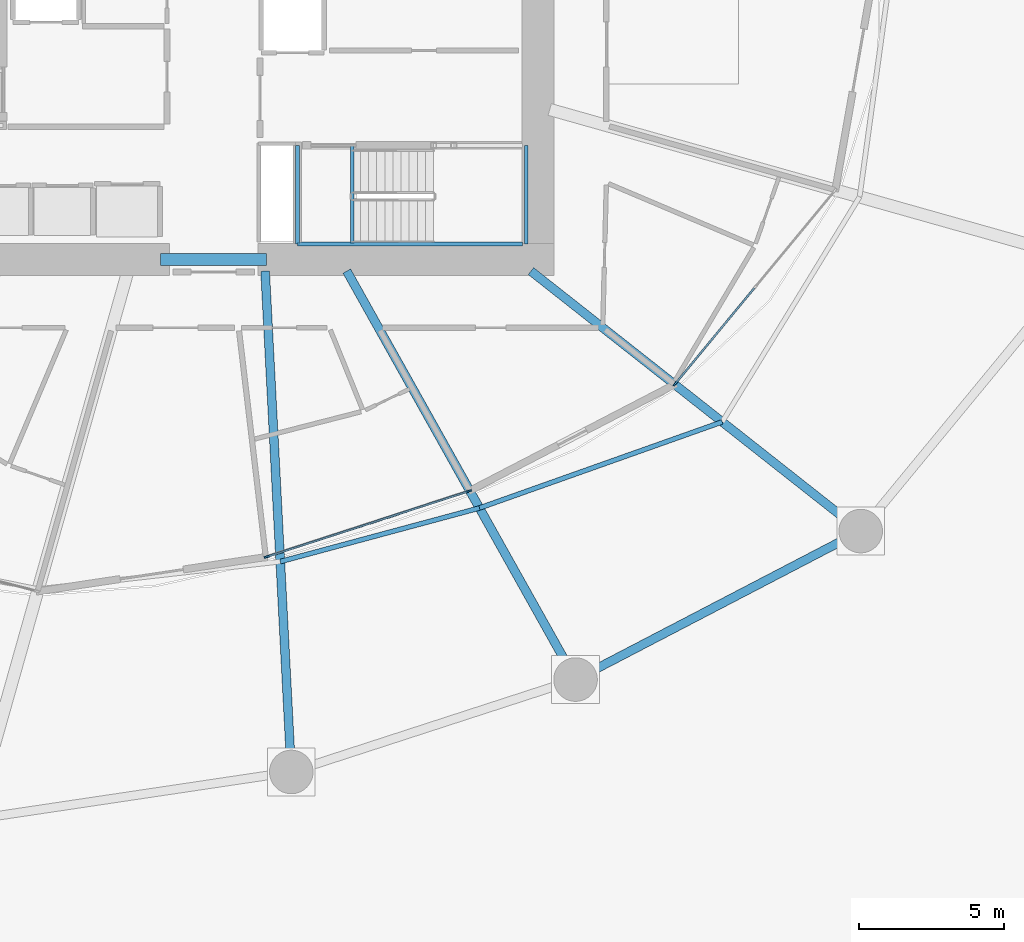
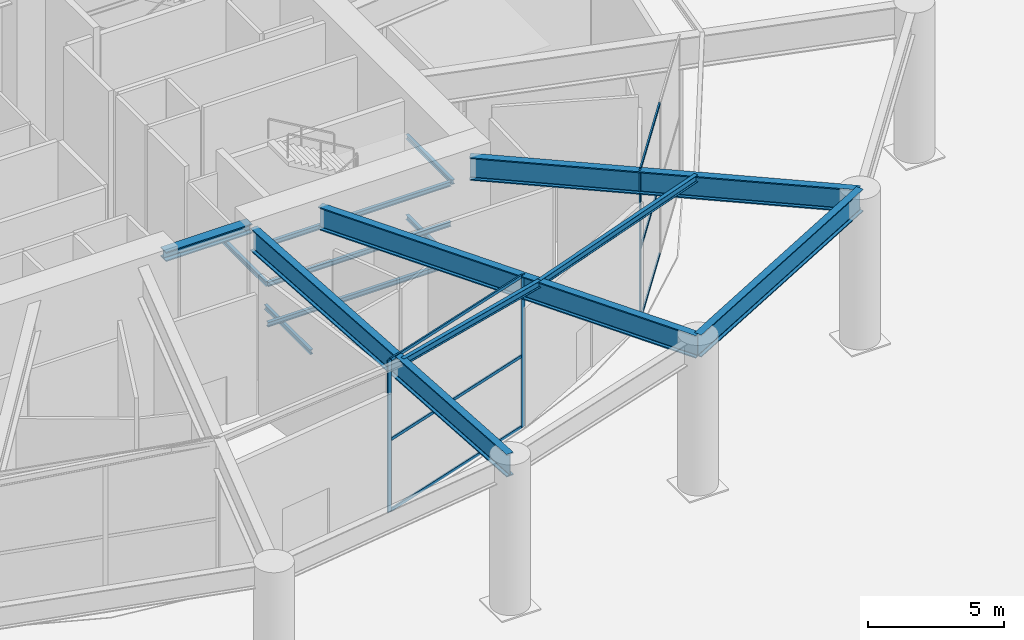
# One storey, part 8 of 28: 14 beams, 9 members, 2 elements without a shape of their own.
"""IFC4 building model written with IfcOpenShell, lengths in metres."""

from ifc_helpers import new_model, si_unit, direction, frame, origin, origin_2d, place, context, subcontext, project, spatial, rectangle, i_section, extrude, material, layer, layer_set, material_profile, profile_set, type_object, element, aggregate, save


model = new_model("IFC4")

# Units and contexts
model_context = context("Model", 3, precision=1e-05, world=origin(), true_north=direction((0.0, 1.0)))
body_context = subcontext(model_context, "Body", "Model", "MODEL_VIEW")
ifc_project = project(units=[si_unit("LENGTHUNIT", "METRE"), si_unit("AREAUNIT", "SQUARE_METRE"), si_unit("VOLUMEUNIT", "CUBIC_METRE"), si_unit("PLANEANGLEUNIT", "RADIAN"), si_unit("MASSUNIT", "GRAM", prefix="KILO")], contexts=[model_context])

# Site, building, storey
site_placement = place(None, origin())
site = spatial("IfcSite", under=ifc_project, at=site_placement, CompositionType="ELEMENT")
building_placement = place(site_placement, origin())
building = spatial("IfcBuilding", under=site, at=building_placement, Name="Kazma Halo Residences", CompositionType="ELEMENT")
storey_placement = place(building_placement, origin())
storey = spatial("IfcBuildingStorey", under=building, at=storey_placement, Name="L00", CompositionType="ELEMENT", Elevation=0.0)

# Beams
ifc_material_1 = material(Name="Steel S355", Category="steel")
ifc_material_profile_1 = material_profile(ifc_material_1, i_section(OverallWidth=0.408935546875, OverallDepth=0.425048828125, WebThickness=0.03271484375, FlangeThickness=0.052490234375, FilletRadius=0.02001953125, at=origin_2d()), Name="W360x421")
ifc_profile_set_1 = profile_set([ifc_material_profile_1], Name="Steel S355")
beam_type_1 = type_object("IfcBeamType", Name="BM-CORE-W360H", PredefinedType="BEAM", material=ifc_profile_set_1)
beam_1_placement = place(storey_placement, frame((46.60009765625, 33.449951171875, 6.58740234375), z_axis=(1.0, 0.0, 0.0), x_axis=(0.0, 1.0, 0.0)))
element("IfcBeam", 1, at=beam_1_placement, inside=storey, type_object=beam_type_1, Name="L00 core coupling beam S", PredefinedType="BEAM", context=body_context, shape_type="SweptSolid", body=[
    extrude(i_section(OverallWidth=0.408935546875, OverallDepth=0.425048828125, WebThickness=0.03271484375, FlangeThickness=0.052490234375, FilletRadius=0.02001953125, at=origin_2d()), origin(), (0.0, 0.0, 1.0), 3.64990234375),
])
ifc_material_profile_2 = material_profile(ifc_material_1, i_section(OverallWidth=0.1650390625, OverallDepth=0.31005859375, WebThickness=0.005859375, FlangeThickness=0.009765625, FilletRadius=0.011962890625, at=origin_2d()), Name="W310x38.7")
ifc_profile_set_2 = profile_set([ifc_material_profile_2], Name="Steel S355")
beam_type_2 = type_object("IfcBeamType", Name="BM-SEC-W310B", PredefinedType="JOIST", material=ifc_profile_set_2)
beam_2_placement = place(storey_placement, frame((50.722412109375, 23.04736328125, 6.64501953125), z_axis=(0.965678128269, 0.259741703588, 0.0), x_axis=(-0.259741703588, 0.965678128269, 0.0)))
element("IfcBeam", 2, at=beam_2_placement, inside=storey, type_object=beam_type_2, Name="L00 circumferential floor joist 12", PredefinedType="JOIST", context=body_context, shape_type="SweptSolid", body=[
    extrude(i_section(OverallWidth=0.1650390625, OverallDepth=0.31005859375, WebThickness=0.005859375, FlangeThickness=0.009765625, FilletRadius=0.011962890625, at=origin_2d()), origin(), (0.0, 0.0, 1.0), 7.10205078125),
])
beam_3_placement = place(storey_placement, frame((57.580810546875, 24.89208984375, 6.64501953125), z_axis=(0.942441737122, 0.334370411567, 0.0), x_axis=(-0.334370411567, 0.942441737122, 0.0)))
element("IfcBeam", 3, at=beam_3_placement, inside=storey, type_object=beam_type_2, Name="L00 circumferential floor joist 13", PredefinedType="JOIST", context=body_context, shape_type="SweptSolid", body=[
    extrude(i_section(OverallWidth=0.1650390625, OverallDepth=0.31005859375, WebThickness=0.005859375, FlangeThickness=0.009765625, FilletRadius=0.011962890625, at=origin_2d()), origin(), (0.0, 0.0, 1.0), 8.869140625),
])
ifc_material_profile_3 = material_profile(ifc_material_1, i_section(OverallWidth=0.302001953125, OverallDepth=1.01806640625, WebThickness=0.021484375, FlangeThickness=0.049072265625, FilletRadius=0.028076171875, at=origin_2d()), Name="W1000x443")
ifc_profile_set_3 = profile_set([ifc_material_profile_3], Name="Steel S355")
beam_type_3 = type_object("IfcBeamType", Name="BM-TRANS-W1000A", PredefinedType="BEAM", material=ifc_profile_set_3)
beam_4_placement = place(storey_placement, frame((50.199951171875, 33.050048828125, 6.291015625), z_axis=(0.052151471652, -0.998639186095, 0.0), x_axis=(0.998639186095, 0.052151471652, 0.0)))
element("IfcBeam", 4, at=beam_4_placement, inside=storey, type_object=beam_type_3, Name="L00 podium radial transfer girder 12", PredefinedType="BEAM", context=body_context, shape_type="SweptSolid", body=[
    extrude(i_section(OverallWidth=0.302001953125, OverallDepth=1.01806640625, WebThickness=0.021484375, FlangeThickness=0.049072265625, FilletRadius=0.028076171875, at=origin_2d()), origin(), (0.0, 0.0, 1.0), 17.26953125),
])
beam_5_placement = place(storey_placement, frame((53.01220703125, 33.050048828125, 6.291015625), z_axis=(0.488623198121, -0.872494911308, 0.0), x_axis=(0.872494911308, 0.488623198121, 0.0)))
element("IfcBeam", 5, at=beam_5_placement, inside=storey, type_object=beam_type_3, Name="L00 podium radial transfer girder 13", PredefinedType="BEAM", context=body_context, shape_type="SweptSolid", body=[
    extrude(i_section(OverallWidth=0.302001953125, OverallDepth=1.01806640625, WebThickness=0.021484375, FlangeThickness=0.049072265625, FilletRadius=0.028076171875, at=origin_2d()), origin(), (0.0, 0.0, 1.0), 16.12109375),
])
beam_6_placement = place(storey_placement, frame((59.35302734375, 33.050048828125, 6.291015625), z_axis=(0.785314311706, -0.619097271702, 0.0), x_axis=(0.619097271702, 0.785314311706, 0.0)))
element("IfcBeam", 6, at=beam_6_placement, inside=storey, type_object=beam_type_3, Name="L00 podium radial transfer girder 14", PredefinedType="BEAM", context=body_context, shape_type="SweptSolid", body=[
    extrude(i_section(OverallWidth=0.302001953125, OverallDepth=1.01806640625, WebThickness=0.021484375, FlangeThickness=0.049072265625, FilletRadius=0.028076171875, at=origin_2d()), origin(), (0.0, 0.0, 1.0), 14.46044921875),
])
ifc_material_profile_4 = material_profile(ifc_material_1, i_section(OverallWidth=0.300048828125, OverallDepth=1.0, WebThickness=0.01904296875, FlangeThickness=0.0400390625, FilletRadius=0.02587890625, at=origin_2d()), Name="W1000x371")
ifc_profile_set_4 = profile_set([ifc_material_profile_4], Name="Steel S355")
beam_type_4 = type_object("IfcBeamType", Name="BM-TRANS-W1000B", PredefinedType="BEAM", material=ifc_profile_set_4)
beam_7_placement = place(storey_placement, frame((60.889404296875, 18.984375, 6.300048828125), z_axis=(0.886954171981, 0.461857442082, 0.0), x_axis=(-0.461857442082, 0.886954171981, 0.0)))
element("IfcBeam", 7, at=beam_7_placement, inside=storey, type_object=beam_type_4, Name="L00 perimeter ring beam 13", PredefinedType="BEAM", context=body_context, shape_type="SweptSolid", body=[
    extrude(i_section(OverallWidth=0.300048828125, OverallDepth=1.0, WebThickness=0.01904296875, FlangeThickness=0.0400390625, FilletRadius=0.02587890625, at=origin_2d()), origin(), (0.0, 0.0, 1.0), 11.071044921875),
])
ifc_material_profile_5 = material_profile(ifc_material_1, i_section(OverallWidth=0.133056640625, OverallDepth=0.20703125, WebThickness=0.005859375, FlangeThickness=0.00830078125, FilletRadius=0.010009765625, at=origin_2d()), Name="W200x26.6")
ifc_profile_set_5 = profile_set([ifc_material_profile_5], Name="Steel S355")
beam_type_5 = type_object("IfcBeamType", Name="BM-TRIM-W200", PredefinedType="BEAM", material=ifc_profile_set_5)
beam_8_placement = place(storey_placement, frame((53.199951171875, 34.0, -0.429931640625), z_axis=(0.0, 1.0, 0.0), x_axis=(-1.0, 0.0, 0.0)))
element("IfcBeam", 8, at=beam_8_placement, inside=storey, type_object=beam_type_5, Name="L00 ST-03 floor landing support beam", PredefinedType="BEAM", context=body_context, shape_type="SweptSolid", body=[
    extrude(i_section(OverallWidth=0.133056640625, OverallDepth=0.20703125, WebThickness=0.005859375, FlangeThickness=0.00830078125, FilletRadius=0.010009765625, at=origin_2d()), origin(), (0.0, 0.0, 1.0), 3.3798828125),
])
beam_9_placement = place(storey_placement, frame((51.31005859375, 33.97998046875, 1.4951171875), z_axis=(1.0, 0.0, 0.0), x_axis=(0.0, 1.0, 0.0)))
element("IfcBeam", 9, at=beam_9_placement, inside=storey, type_object=beam_type_5, Name="L00 ST-03 landing south wall ledger", PredefinedType="BEAM", context=body_context, shape_type="SweptSolid", body=[
    extrude(i_section(OverallWidth=0.133056640625, OverallDepth=0.20703125, WebThickness=0.005859375, FlangeThickness=0.00830078125, FilletRadius=0.010009765625, at=origin_2d()), origin(), (0.0, 0.0, 1.0), 7.760009765625),
])
beam_10_placement = place(storey_placement, frame((59.18994140625, 33.97998046875, 1.4951171875), z_axis=(0.0, 1.0, 0.0), x_axis=(-1.0, 0.0, 0.0)))
element("IfcBeam", 10, at=beam_10_placement, inside=storey, type_object=beam_type_5, Name="L00 ST-03 landing end wall ledger", PredefinedType="BEAM", context=body_context, shape_type="SweptSolid", body=[
    extrude(i_section(OverallWidth=0.133056640625, OverallDepth=0.20703125, WebThickness=0.005859375, FlangeThickness=0.00830078125, FilletRadius=0.010009765625, at=origin_2d()), origin(), (0.0, 0.0, 1.0), 3.39990234375),
])
beam_11_placement = place(storey_placement, frame((51.31005859375, 33.97998046875, 3.294921875), z_axis=(1.0, 0.0, 0.0), x_axis=(0.0, 1.0, 0.0)))
element("IfcBeam", 11, at=beam_11_placement, inside=storey, type_object=beam_type_5, Name="L00 ST-03 landing south wall ledger", PredefinedType="BEAM", context=body_context, shape_type="SweptSolid", body=[
    extrude(i_section(OverallWidth=0.133056640625, OverallDepth=0.20703125, WebThickness=0.005859375, FlangeThickness=0.00830078125, FilletRadius=0.010009765625, at=origin_2d()), origin(), (0.0, 0.0, 1.0), 7.760009765625),
])
beam_12_placement = place(storey_placement, frame((51.31005859375, 33.97998046875, 3.294921875), z_axis=(0.0, 1.0, 0.0), x_axis=(-1.0, 0.0, 0.0)))
element("IfcBeam", 12, at=beam_12_placement, inside=storey, type_object=beam_type_5, Name="L00 ST-03 landing end wall ledger", PredefinedType="BEAM", context=body_context, shape_type="SweptSolid", body=[
    extrude(i_section(OverallWidth=0.133056640625, OverallDepth=0.20703125, WebThickness=0.005859375, FlangeThickness=0.00830078125, FilletRadius=0.010009765625, at=origin_2d()), origin(), (0.0, 0.0, 1.0), 3.39990234375),
])
beam_13_placement = place(storey_placement, frame((51.31005859375, 33.97998046875, 5.094970703125), z_axis=(1.0, 0.0, 0.0), x_axis=(0.0, 1.0, 0.0)))
element("IfcBeam", 13, at=beam_13_placement, inside=storey, type_object=beam_type_5, Name="L00 ST-03 landing south wall ledger", PredefinedType="BEAM", context=body_context, shape_type="SweptSolid", body=[
    extrude(i_section(OverallWidth=0.133056640625, OverallDepth=0.20703125, WebThickness=0.005859375, FlangeThickness=0.00830078125, FilletRadius=0.010009765625, at=origin_2d()), origin(), (0.0, 0.0, 1.0), 7.760009765625),
])
beam_14_placement = place(storey_placement, frame((59.18994140625, 33.97998046875, 5.094970703125), z_axis=(0.0, 1.0, 0.0), x_axis=(-1.0, 0.0, 0.0)))
element("IfcBeam", 14, at=beam_14_placement, inside=storey, type_object=beam_type_5, Name="L00 ST-03 landing end wall ledger", PredefinedType="BEAM", context=body_context, shape_type="SweptSolid", body=[
    extrude(i_section(OverallWidth=0.133056640625, OverallDepth=0.20703125, WebThickness=0.005859375, FlangeThickness=0.00830078125, FilletRadius=0.010009765625, at=origin_2d()), origin(), (0.0, 0.0, 1.0), 3.39990234375),
])

# Curtain wall, members
ifc_material_2 = material(Name="Aluminium AW-6063 T6 and Triple-Silver Low-E Glass", Category="aluminium")
ifc_layer = layer(ifc_material_2, 0.179931640625)
ifc_layer_set = layer_set([ifc_layer], Name="Aluminium AW-6063 T6 and Triple-Silver Low-E Glass")
curtain_wall_type = type_object("IfcCurtainWallType", Name="CW-SYS-1", PredefinedType="NOTDEFINED", material=ifc_layer_set)
curtain_wall_1_placement = place(storey_placement, origin())
curtain_wall_1 = element("IfcCurtainWall", 15, at=curtain_wall_1_placement, inside=storey, type_object=curtain_wall_type, Name="L00 lobby unitised curtain wall 12", PredefinedType="NOTDEFINED")
ifc_material_3 = material(Name="Aluminium AW-6063 T6", Category="aluminium")
ifc_material_profile_6 = material_profile(ifc_material_3, rectangle(XDim=0.06494140625, YDim=0.179931640625, at=origin_2d()), Name="CWM-65x180")
ifc_profile_set_6 = profile_set([ifc_material_profile_6], Name="Aluminium AW-6063 T6")
member_type_1 = type_object("IfcMemberType", Name="CW-SYS-1-MUL", PredefinedType="MULLION", material=ifc_profile_set_6)
member_1_placement = place(storey_placement, frame((50.255615234375, 23.213134765625, 0.0), z_axis=(0.0, 0.0, 1.0), x_axis=(-0.30902055074, 0.951055360755, 0.0)))
member_1 = element("IfcMember", 16, at=member_1_placement, type_object=member_type_1, Name="CWS-1 mullion 1", PredefinedType="MULLION", context=body_context, shape_type="SweptSolid", body=[
    extrude(rectangle(XDim=0.06494140625, YDim=0.179931640625, at=origin_2d()), origin(), (0.0, 0.0, 1.0), 6.800048828125),
])
member_2_placement = place(storey_placement, frame((57.2177734375, 25.475341796875, 0.0), z_axis=(0.0, 0.0, 1.0), x_axis=(-0.30902055074, 0.951055360755, 0.0)))
member_2 = element("IfcMember", 17, at=member_2_placement, type_object=member_type_1, Name="CWS-1 mullion 2", PredefinedType="MULLION", context=body_context, shape_type="SweptSolid", body=[
    extrude(rectangle(XDim=0.06494140625, YDim=0.179931640625, at=origin_2d()), origin(), (0.0, 0.0, 1.0), 6.800048828125),
])

# Curtain wall, member
curtain_wall_2_placement = place(storey_placement, origin())
curtain_wall_2 = element("IfcCurtainWall", 18, at=curtain_wall_2_placement, inside=storey, type_object=curtain_wall_type, Name="L00 lobby unitised curtain wall 14", PredefinedType="NOTDEFINED")
member_3_placement = place(storey_placement, frame((64.324462890625, 29.17236328125, 0.0), z_axis=(0.0, 0.0, 1.0), x_axis=(-0.770944051001, 0.636902873463, 0.0)))
member_3 = element("IfcMember", 19, at=member_3_placement, type_object=member_type_1, Name="CWS-1 mullion 1", PredefinedType="MULLION", context=body_context, shape_type="SweptSolid", body=[
    extrude(rectangle(XDim=0.06494140625, YDim=0.179931640625, at=origin_2d()), origin(), (0.0, 0.0, 1.0), 6.800048828125),
])

# Member
ifc_material_profile_7 = material_profile(ifc_material_3, rectangle(XDim=0.06494140625, YDim=0.135009765625, at=origin_2d()), Name="CWT-65x135")
ifc_profile_set_7 = profile_set([ifc_material_profile_7], Name="Aluminium AW-6063 T6")
member_type_2 = type_object("IfcMemberType", Name="CW-SYS-1-TRN", PredefinedType="USERDEFINED", material=ifc_profile_set_7)
member_4_placement = place(storey_placement, frame((50.28662109375, 23.22314453125, 0.032470703125), z_axis=(0.951048657561, 0.309041180025, 0.0), x_axis=(-0.309041180025, 0.951048657561, 0.0)))
member_4 = element("IfcMember", 20, at=member_4_placement, type_object=member_type_2, Name="CWS-1 transom 1.1", ObjectType="TRANSOM", PredefinedType="USERDEFINED", context=body_context, shape_type="SweptSolid", body=[
    extrude(rectangle(XDim=0.06494140625, YDim=0.135009765625, at=origin_2d()), origin(), (0.0, 0.0, 1.0), 7.25537109375),
])

member_5_placement = place(storey_placement, frame((50.28662109375, 23.22314453125, 3.199951171875), z_axis=(0.951048657561, 0.309041180025, 0.0), x_axis=(-0.309041180025, 0.951048657561, 0.0)))
member_5 = element("IfcMember", 21, at=member_5_placement, type_object=member_type_2, Name="CWS-1 transom 1.2", ObjectType="TRANSOM", PredefinedType="USERDEFINED", context=body_context, shape_type="SweptSolid", body=[
    extrude(rectangle(XDim=0.06494140625, YDim=0.135009765625, at=origin_2d()), origin(), (0.0, 0.0, 1.0), 7.25537109375),
])

member_6_placement = place(storey_placement, frame((50.28662109375, 23.22314453125, 6.767578125), z_axis=(0.951048657561, 0.309041180025, 0.0), x_axis=(-0.309041180025, 0.951048657561, 0.0)))
member_6 = element("IfcMember", 22, at=member_6_placement, type_object=member_type_2, Name="CWS-1 transom 1.3", ObjectType="TRANSOM", PredefinedType="USERDEFINED", context=body_context, shape_type="SweptSolid", body=[
    extrude(rectangle(XDim=0.06494140625, YDim=0.135009765625, at=origin_2d()), origin(), (0.0, 0.0, 1.0), 7.25537109375),
])

aggregate(curtain_wall_1, [member_1, member_2, member_4, member_5, member_6])

member_7_placement = place(storey_placement, frame((64.34521484375, 29.197265625, 0.032470703125), z_axis=(0.63687996048, 0.770962979616, 0.0), x_axis=(-0.770962979616, 0.63687996048, 0.0)))
member_7 = element("IfcMember", 23, at=member_7_placement, type_object=member_type_2, Name="CWS-1 transom 1.1", ObjectType="TRANSOM", PredefinedType="USERDEFINED", context=body_context, shape_type="SweptSolid", body=[
    extrude(rectangle(XDim=0.06494140625, YDim=0.135009765625, at=origin_2d()), origin(), (0.0, 0.0, 1.0), 4.244384765625),
])

member_8_placement = place(storey_placement, frame((64.34521484375, 29.197265625, 3.199951171875), z_axis=(0.63687996048, 0.770962979616, 0.0), x_axis=(-0.770962979616, 0.63687996048, 0.0)))
member_8 = element("IfcMember", 24, at=member_8_placement, type_object=member_type_2, Name="CWS-1 transom 1.2", ObjectType="TRANSOM", PredefinedType="USERDEFINED", context=body_context, shape_type="SweptSolid", body=[
    extrude(rectangle(XDim=0.06494140625, YDim=0.135009765625, at=origin_2d()), origin(), (0.0, 0.0, 1.0), 4.244384765625),
])

member_9_placement = place(storey_placement, frame((64.34521484375, 29.197265625, 6.767578125), z_axis=(0.63687996048, 0.770962979616, 0.0), x_axis=(-0.770962979616, 0.63687996048, 0.0)))
member_9 = element("IfcMember", 25, at=member_9_placement, type_object=member_type_2, Name="CWS-1 transom 1.3", ObjectType="TRANSOM", PredefinedType="USERDEFINED", context=body_context, shape_type="SweptSolid", body=[
    extrude(rectangle(XDim=0.06494140625, YDim=0.135009765625, at=origin_2d()), origin(), (0.0, 0.0, 1.0), 4.244384765625),
])

aggregate(curtain_wall_2, [member_3, member_7, member_8, member_9])

save(model, "model.ifc")
